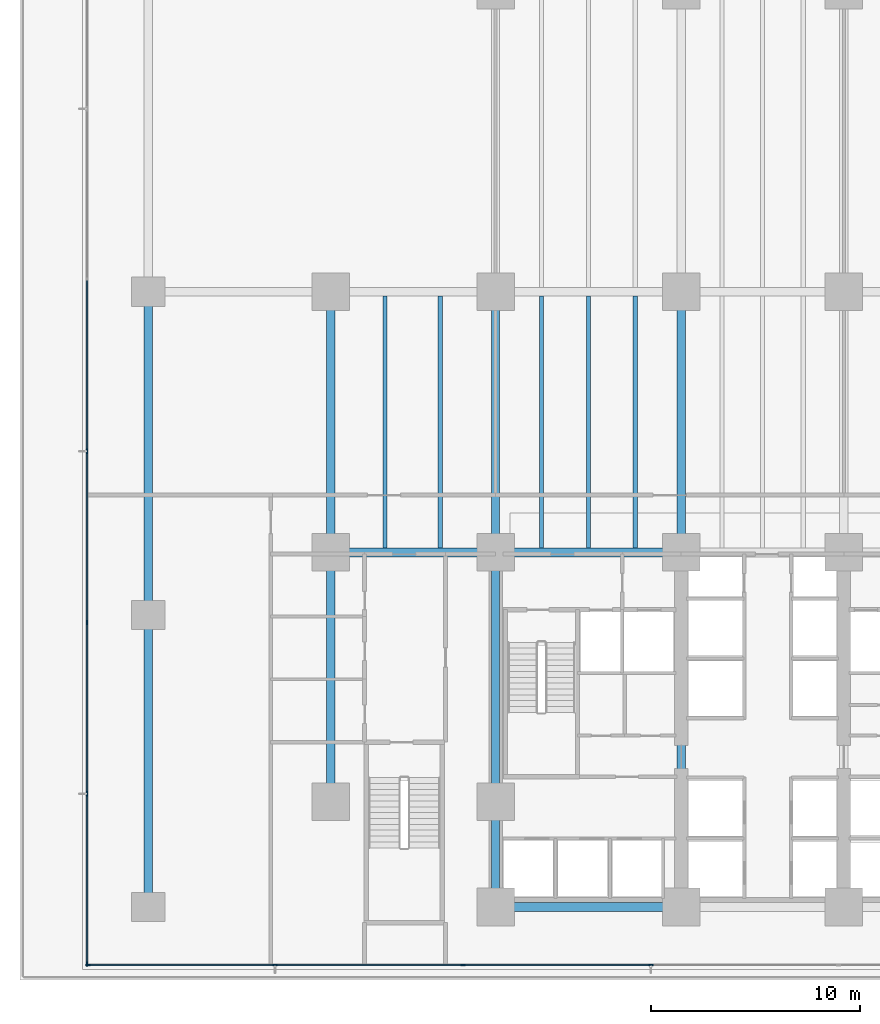
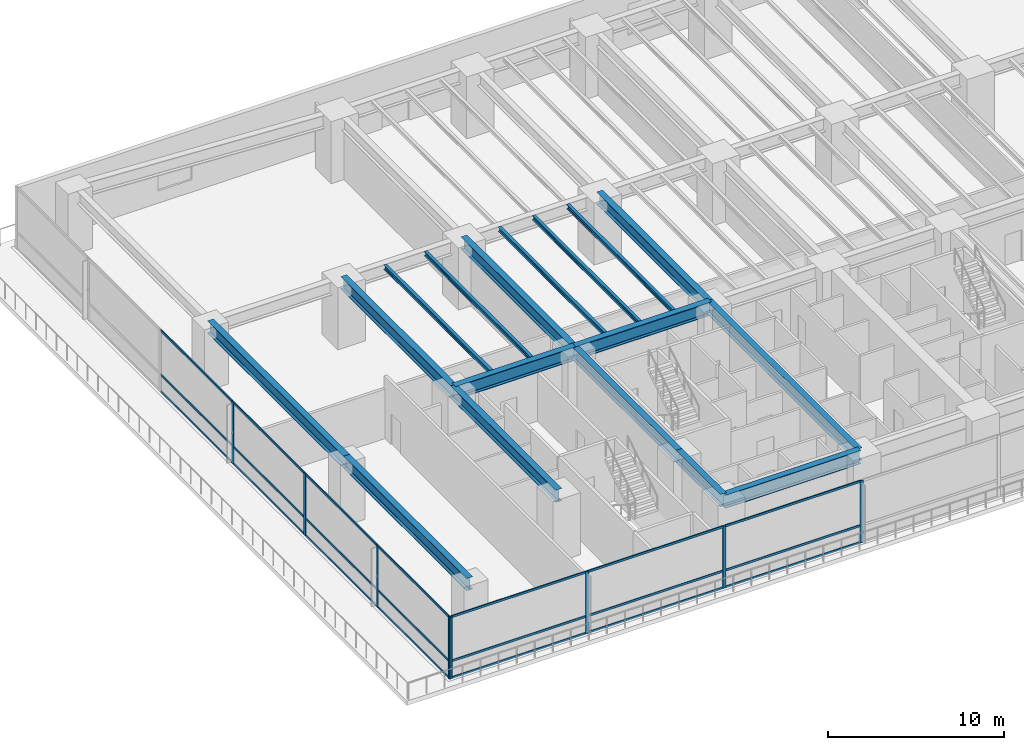
# One storey, part 2 of 28: 29 members, 17 beams, 2 elements without a shape of their own.
"""IFC4 building model written with IfcOpenShell, lengths in metres."""

from ifc_helpers import new_model, si_unit, direction, frame, origin, origin_2d, place, context, subcontext, project, spatial, rectangle, i_section, extrude, material, layer, layer_set, material_profile, profile_set, type_object, element, aggregate, save


model = new_model("IFC4")

# Units and contexts
model_context = context("Model", 3, precision=1e-05, world=origin(), true_north=direction((0.0, 1.0)))
body_context = subcontext(model_context, "Body", "Model", "MODEL_VIEW")
ifc_project = project(units=[si_unit("LENGTHUNIT", "METRE"), si_unit("AREAUNIT", "SQUARE_METRE"), si_unit("VOLUMEUNIT", "CUBIC_METRE"), si_unit("PLANEANGLEUNIT", "RADIAN"), si_unit("MASSUNIT", "GRAM", prefix="KILO")], contexts=[model_context])

# Site, building, storey
site_placement = place(None, origin())
site = spatial("IfcSite", under=ifc_project, at=site_placement, CompositionType="ELEMENT")
building_placement = place(site_placement, origin())
building = spatial("IfcBuilding", under=site, at=building_placement, Name="Qalmaran Belvedere Hotel", CompositionType="ELEMENT")
storey_placement = place(building_placement, frame((0.0, 0.0, 10.0)))
storey = spatial("IfcBuildingStorey", under=building, at=storey_placement, Name="L02", CompositionType="ELEMENT", Elevation=10.0)

# Beams
ifc_material_1 = material(Name="Steel S355JR", Category="steel")
ifc_material_profile_1 = material_profile(ifc_material_1, i_section(OverallWidth=0.202880859375, OverallDepth=0.302978515625, WebThickness=0.007568359375, FlangeThickness=0.01318359375, FilletRadius=0.012939453125, at=origin_2d()), Name="W310X60")
ifc_profile_set_1 = profile_set([ifc_material_profile_1], Name="Steel S355JR")
beam_type_1 = type_object("IfcBeamType", Name="BM-JST-W310X60", PredefinedType="JOIST", material=ifc_profile_set_1)
for number, where, z_axis, x_axis, name in (
    (1, (15.0, 20.7080078125, 4.1484375), (0.0, 1.0, 0.0), (-1.0, 0.0, 0.0), "L02 Podium South-Ballroom Joist 053"),
    (2, (17.64990234375, 20.7080078125, 4.1484375), (0.0, 1.0, 0.0), (-1.0, 0.0, 0.0), "L02 Podium South-Ballroom Joist 054"),
    (3, (22.5, 20.7080078125, 4.1484375), (0.0, 1.0, 0.0), (-1.0, 0.0, 0.0), "L02 Podium South-Ballroom Joist 055"),
    (4, (24.75, 20.7080078125, 4.1484375), (0.0, 1.0, 0.0), (-1.0, 0.0, 0.0), "L02 Podium South-Ballroom Joist 057"),
    (5, (27.0, 20.7080078125, 4.1484375), (0.0, 1.0, 0.0), (-1.0, 0.0, 0.0), "L02 Podium South-Ballroom Joist 059"),
):
    element("IfcBeam", number, at=place(storey_placement, frame(where, z_axis=z_axis, x_axis=x_axis)), inside=storey, type_object=beam_type_1, Name=name, PredefinedType="JOIST", context=body_context, shape_type="SweptSolid", body=[
        extrude(i_section(OverallWidth=0.202880859375, OverallDepth=0.302978515625, WebThickness=0.007568359375, FlangeThickness=0.01318359375, FilletRadius=0.012939453125, at=origin_2d()), origin(), (0.0, 0.0, 1.0), 12.083984375),
    ])
ifc_material_profile_2 = material_profile(ifc_material_1, i_section(OverallWidth=0.419921875, OverallDepth=0.9208984375, WebThickness=0.021240234375, FlangeThickness=0.03662109375, FilletRadius=0.02392578125, at=origin_2d()), Name="W920X387")
ifc_profile_set_2 = profile_set([ifc_material_profile_2], Name="Steel S355JR")
beam_type_2 = type_object("IfcBeamType", Name="BM-PG1-W920X387", PredefinedType="USERDEFINED", material=ifc_profile_set_2)
beam_1_placement = place(storey_placement, frame((20.300048828125, 3.5, 3.839599609375), z_axis=(1.0, 0.0, 0.0), x_axis=(0.0, 1.0, 0.0)))
element("IfcBeam", 6, at=beam_1_placement, inside=storey, type_object=beam_type_2, Name="L02 Podium Primary Girder GX02", ObjectType="GIRDER", PredefinedType="USERDEFINED", context=body_context, shape_type="SweptSolid", body=[
    extrude(i_section(OverallWidth=0.419921875, OverallDepth=0.9208984375, WebThickness=0.021240234375, FlangeThickness=0.03662109375, FilletRadius=0.02392578125, at=origin_2d()), origin(), (0.0, 0.0, 1.0), 8.89990234375),
])
beam_2_placement = place(storey_placement, frame((12.39990234375, 20.5, 3.839599609375), z_axis=(1.0, 0.0, 0.0), x_axis=(0.0, 1.0, 0.0)))
element("IfcBeam", 7, at=beam_2_placement, inside=storey, type_object=beam_type_2, Name="L02 Podium Primary Girder GX09", ObjectType="GIRDER", PredefinedType="USERDEFINED", context=body_context, shape_type="SweptSolid", body=[
    extrude(i_section(OverallWidth=0.419921875, OverallDepth=0.9208984375, WebThickness=0.021240234375, FlangeThickness=0.03662109375, FilletRadius=0.02392578125, at=origin_2d()), origin(), (0.0, 0.0, 1.0), 7.900146484375),
])
beam_3_placement = place(storey_placement, frame((20.300048828125, 20.5, 3.839599609375), z_axis=(1.0, 0.0, 0.0), x_axis=(0.0, 1.0, 0.0)))
element("IfcBeam", 8, at=beam_3_placement, inside=storey, type_object=beam_type_2, Name="L02 Podium Primary Girder GX10", ObjectType="GIRDER", PredefinedType="USERDEFINED", context=body_context, shape_type="SweptSolid", body=[
    extrude(i_section(OverallWidth=0.419921875, OverallDepth=0.9208984375, WebThickness=0.021240234375, FlangeThickness=0.03662109375, FilletRadius=0.02392578125, at=origin_2d()), origin(), (0.0, 0.0, 1.0), 8.89990234375),
])
ifc_material_profile_3 = material_profile(ifc_material_1, i_section(OverallWidth=0.39990234375, OverallDepth=0.85498046875, WebThickness=0.018310546875, FlangeThickness=0.029296875, FilletRadius=0.02392578125, at=origin_2d()), Name="W840X299")
ifc_profile_set_3 = profile_set([ifc_material_profile_3], Name="Steel S355JR")
beam_type_3 = type_object("IfcBeamType", Name="BM-PG3-W840X299", PredefinedType="USERDEFINED", material=ifc_profile_set_3)
beam_4_placement = place(storey_placement, frame((3.64990234375, 3.5, 3.87255859375), z_axis=(0.0, 1.0, 0.0), x_axis=(-1.0, 0.0, 0.0)))
element("IfcBeam", 9, at=beam_4_placement, inside=storey, type_object=beam_type_3, Name="L02 Podium Transverse Girder GY28", ObjectType="GIRDER", PredefinedType="USERDEFINED", context=body_context, shape_type="SweptSolid", body=[
    extrude(i_section(OverallWidth=0.39990234375, OverallDepth=0.85498046875, WebThickness=0.018310546875, FlangeThickness=0.029296875, FilletRadius=0.02392578125, at=origin_2d()), origin(), (0.0, 0.0, 1.0), 14.0),
])
beam_5_placement = place(storey_placement, frame((3.64990234375, 17.5, 3.87255859375), z_axis=(0.0, 1.0, 0.0), x_axis=(-1.0, 0.0, 0.0)))
element("IfcBeam", 10, at=beam_5_placement, inside=storey, type_object=beam_type_3, Name="L02 Podium Transverse Girder GY29", ObjectType="GIRDER", PredefinedType="USERDEFINED", context=body_context, shape_type="SweptSolid", body=[
    extrude(i_section(OverallWidth=0.39990234375, OverallDepth=0.85498046875, WebThickness=0.018310546875, FlangeThickness=0.029296875, FilletRadius=0.02392578125, at=origin_2d()), origin(), (0.0, 0.0, 1.0), 15.5),
])
beam_6_placement = place(storey_placement, frame((12.39990234375, 8.550048828125, 3.87255859375), z_axis=(0.0, 1.0, 0.0), x_axis=(-1.0, 0.0, 0.0)))
element("IfcBeam", 11, at=beam_6_placement, inside=storey, type_object=beam_type_3, Name="L02 Podium Transverse Girder GY31", ObjectType="GIRDER", PredefinedType="USERDEFINED", context=body_context, shape_type="SweptSolid", body=[
    extrude(i_section(OverallWidth=0.39990234375, OverallDepth=0.85498046875, WebThickness=0.018310546875, FlangeThickness=0.029296875, FilletRadius=0.02392578125, at=origin_2d()), origin(), (0.0, 0.0, 1.0), 11.949951171875),
])
beam_7_placement = place(storey_placement, frame((12.39990234375, 20.5, 3.87255859375), z_axis=(0.0, 1.0, 0.0), x_axis=(-1.0, 0.0, 0.0)))
element("IfcBeam", 12, at=beam_7_placement, inside=storey, type_object=beam_type_3, Name="L02 Podium Transverse Girder GY32", ObjectType="GIRDER", PredefinedType="USERDEFINED", context=body_context, shape_type="SweptSolid", body=[
    extrude(i_section(OverallWidth=0.39990234375, OverallDepth=0.85498046875, WebThickness=0.018310546875, FlangeThickness=0.029296875, FilletRadius=0.02392578125, at=origin_2d()), origin(), (0.0, 0.0, 1.0), 12.5),
])
beam_8_placement = place(storey_placement, frame((20.300048828125, 3.5, 3.87255859375), z_axis=(0.0, 1.0, 0.0), x_axis=(-1.0, 0.0, 0.0)))
element("IfcBeam", 13, at=beam_8_placement, inside=storey, type_object=beam_type_3, Name="L02 Podium Transverse Girder GY33", ObjectType="GIRDER", PredefinedType="USERDEFINED", context=body_context, shape_type="SweptSolid", body=[
    extrude(i_section(OverallWidth=0.39990234375, OverallDepth=0.85498046875, WebThickness=0.018310546875, FlangeThickness=0.029296875, FilletRadius=0.02392578125, at=origin_2d()), origin(), (0.0, 0.0, 1.0), 5.050048828125),
])
beam_9_placement = place(storey_placement, frame((20.300048828125, 8.550048828125, 3.87255859375), z_axis=(0.0, 1.0, 0.0), x_axis=(-1.0, 0.0, 0.0)))
element("IfcBeam", 14, at=beam_9_placement, inside=storey, type_object=beam_type_3, Name="L02 Podium Transverse Girder GY34", ObjectType="GIRDER", PredefinedType="USERDEFINED", context=body_context, shape_type="SweptSolid", body=[
    extrude(i_section(OverallWidth=0.39990234375, OverallDepth=0.85498046875, WebThickness=0.018310546875, FlangeThickness=0.029296875, FilletRadius=0.02392578125, at=origin_2d()), origin(), (0.0, 0.0, 1.0), 11.949951171875),
])
beam_10_placement = place(storey_placement, frame((20.300048828125, 20.5, 3.87255859375), z_axis=(0.0, 1.0, 0.0), x_axis=(-1.0, 0.0, 0.0)))
element("IfcBeam", 15, at=beam_10_placement, inside=storey, type_object=beam_type_3, Name="L02 Podium Transverse Girder GY35", ObjectType="GIRDER", PredefinedType="USERDEFINED", context=body_context, shape_type="SweptSolid", body=[
    extrude(i_section(OverallWidth=0.39990234375, OverallDepth=0.85498046875, WebThickness=0.018310546875, FlangeThickness=0.029296875, FilletRadius=0.02392578125, at=origin_2d()), origin(), (0.0, 0.0, 1.0), 12.5),
])
beam_11_placement = place(storey_placement, frame((29.199951171875, 3.5, 3.87255859375), z_axis=(0.0, 1.0, 0.0), x_axis=(-1.0, 0.0, 0.0)))
element("IfcBeam", 16, at=beam_11_placement, inside=storey, type_object=beam_type_3, Name="L02 Podium Transverse Girder GY37", ObjectType="GIRDER", PredefinedType="USERDEFINED", context=body_context, shape_type="SweptSolid", body=[
    extrude(i_section(OverallWidth=0.39990234375, OverallDepth=0.85498046875, WebThickness=0.018310546875, FlangeThickness=0.029296875, FilletRadius=0.02392578125, at=origin_2d()), origin(), (0.0, 0.0, 1.0), 17.0),
])
beam_12_placement = place(storey_placement, frame((29.199951171875, 20.5, 3.87255859375), z_axis=(0.0, 1.0, 0.0), x_axis=(-1.0, 0.0, 0.0)))
element("IfcBeam", 17, at=beam_12_placement, inside=storey, type_object=beam_type_3, Name="L02 Podium Transverse Girder GY38", ObjectType="GIRDER", PredefinedType="USERDEFINED", context=body_context, shape_type="SweptSolid", body=[
    extrude(i_section(OverallWidth=0.39990234375, OverallDepth=0.85498046875, WebThickness=0.018310546875, FlangeThickness=0.029296875, FilletRadius=0.02392578125, at=origin_2d()), origin(), (0.0, 0.0, 1.0), 12.5),
])

# Curtain wall, members
ifc_material_2 = material(Name="Anodised Bronze Aluminium", Category="aluminium")
ifc_layer = layer(ifc_material_2, 0.219970703125, Name="Anodised Bronze Aluminium")
ifc_layer_set = layer_set([ifc_layer], Name="Anodised Bronze Aluminium")
curtain_wall_type = type_object("IfcCurtainWallType", Name="CW1-PODIUM-BRONZE", PredefinedType="NOTDEFINED", material=ifc_layer_set)
curtain_wall_1_placement = place(storey_placement, origin())
curtain_wall_1 = element("IfcCurtainWall", 18, at=curtain_wall_1_placement, inside=storey, type_object=curtain_wall_type, Name="L02 Curtain Wall CW1", PredefinedType="NOTDEFINED")
ifc_material_profile_4 = material_profile(ifc_material_2, rectangle(XDim=0.074951171875, YDim=0.219970703125, at=origin_2d()), Name="CWM75X220")
ifc_profile_set_4 = profile_set([ifc_material_profile_4], Name="Anodised Bronze Aluminium")
member_type_1 = type_object("IfcMemberType", Name="CWM-75X220", PredefinedType="MULLION", material=ifc_profile_set_4)
member_1_placement = place(storey_placement, frame((0.757568359375, 0.719970703125, 0.0), z_axis=(0.0, 0.0, 1.0), x_axis=(0.0, 1.0, 0.0)))
member_1 = element("IfcMember", 19, at=member_1_placement, type_object=member_type_1, Name="CW1 mullion 1", PredefinedType="MULLION", context=body_context, shape_type="SweptSolid", body=[
    extrude(rectangle(XDim=0.074951171875, YDim=0.219970703125, at=origin_2d()), origin(), (0.0, 0.0, 1.0), 4.300048828125),
])
member_2_placement = place(storey_placement, frame((9.7275390625, 0.719970703125, 0.0), z_axis=(0.0, 0.0, 1.0), x_axis=(0.0, 1.0, 0.0)))
member_2 = element("IfcMember", 20, at=member_2_placement, type_object=member_type_1, Name="CW1 mullion 2", PredefinedType="MULLION", context=body_context, shape_type="SweptSolid", body=[
    extrude(rectangle(XDim=0.074951171875, YDim=0.219970703125, at=origin_2d()), origin(), (0.0, 0.0, 1.0), 4.300048828125),
])
member_3_placement = place(storey_placement, frame((18.735107421875, 0.719970703125, 0.0), z_axis=(0.0, 0.0, 1.0), x_axis=(0.0, 1.0, 0.0)))
member_3 = element("IfcMember", 21, at=member_3_placement, type_object=member_type_1, Name="CW1 mullion 3", PredefinedType="MULLION", context=body_context, shape_type="SweptSolid", body=[
    extrude(rectangle(XDim=0.074951171875, YDim=0.219970703125, at=origin_2d()), origin(), (0.0, 0.0, 1.0), 4.300048828125),
])
member_4_placement = place(storey_placement, frame((27.742431640625, 0.719970703125, 0.0), z_axis=(0.0, 0.0, 1.0), x_axis=(0.0, 1.0, 0.0)))
member_4 = element("IfcMember", 22, at=member_4_placement, type_object=member_type_1, Name="CW1 mullion 4", PredefinedType="MULLION", context=body_context, shape_type="SweptSolid", body=[
    extrude(rectangle(XDim=0.074951171875, YDim=0.219970703125, at=origin_2d()), origin(), (0.0, 0.0, 1.0), 4.300048828125),
])

curtain_wall_2_placement = place(storey_placement, origin())
curtain_wall_2 = element("IfcCurtainWall", 23, at=curtain_wall_2_placement, inside=storey, type_object=curtain_wall_type, Name="L02 Curtain Wall CW1", PredefinedType="NOTDEFINED")
member_5_placement = place(storey_placement, frame((0.719970703125, 25.35009765625, 0.0), z_axis=(0.0, 0.0, 1.0), x_axis=(1.0, 0.0, 0.0)))
member_5 = element("IfcMember", 24, at=member_5_placement, type_object=member_type_1, Name="CW1 mullion 4", PredefinedType="MULLION", context=body_context, shape_type="SweptSolid", body=[
    extrude(rectangle(XDim=0.074951171875, YDim=0.219970703125, at=origin_2d()), origin(), (0.0, 0.0, 1.0), 4.300048828125),
])
member_6_placement = place(storey_placement, frame((0.719970703125, 17.139892578125, 0.0), z_axis=(0.0, 0.0, 1.0), x_axis=(1.0, 0.0, 0.0)))
member_6 = element("IfcMember", 25, at=member_6_placement, type_object=member_type_1, Name="CW1 mullion 5", PredefinedType="MULLION", context=body_context, shape_type="SweptSolid", body=[
    extrude(rectangle(XDim=0.074951171875, YDim=0.219970703125, at=origin_2d()), origin(), (0.0, 0.0, 1.0), 4.300048828125),
])
member_7_placement = place(storey_placement, frame((0.719970703125, 8.929931640625, 0.0), z_axis=(0.0, 0.0, 1.0), x_axis=(1.0, 0.0, 0.0)))
member_7 = element("IfcMember", 26, at=member_7_placement, type_object=member_type_1, Name="CW1 mullion 6", PredefinedType="MULLION", context=body_context, shape_type="SweptSolid", body=[
    extrude(rectangle(XDim=0.074951171875, YDim=0.219970703125, at=origin_2d()), origin(), (0.0, 0.0, 1.0), 4.300048828125),
])
member_8_placement = place(storey_placement, frame((0.719970703125, 0.757568359375, 0.0), z_axis=(0.0, 0.0, 1.0), x_axis=(1.0, 0.0, 0.0)))
member_8 = element("IfcMember", 27, at=member_8_placement, type_object=member_type_1, Name="CW1 mullion 7", PredefinedType="MULLION", context=body_context, shape_type="SweptSolid", body=[
    extrude(rectangle(XDim=0.074951171875, YDim=0.219970703125, at=origin_2d()), origin(), (0.0, 0.0, 1.0), 4.300048828125),
])

# Member
ifc_material_profile_5 = material_profile(ifc_material_2, rectangle(XDim=0.070068359375, YDim=0.14990234375, at=origin_2d()), Name="CWT70X150")
ifc_profile_set_5 = profile_set([ifc_material_profile_5], Name="Anodised Bronze Aluminium")
member_type_2 = type_object("IfcMemberType", Name="CWT-70X150", PredefinedType="USERDEFINED", material=ifc_profile_set_5)
member_9_placement = place(storey_placement, frame((0.794921875, 0.719970703125, 0.034912109375), z_axis=(1.0, 0.0, 0.0), x_axis=(0.0, 1.0, 0.0)))
member_9 = element("IfcMember", 28, at=member_9_placement, type_object=member_type_2, Name="CW1 transom 1.1", ObjectType="TRANSOM", PredefinedType="USERDEFINED", context=body_context, shape_type="SweptSolid", body=[
    extrude(rectangle(XDim=0.070068359375, YDim=0.14990234375, at=origin_2d()), origin(), (0.0, 0.0, 1.0), 8.89501953125),
])

member_10_placement = place(storey_placement, frame((0.794921875, 0.719970703125, 1.2041015625), z_axis=(1.0, 0.0, 0.0), x_axis=(0.0, 1.0, 0.0)))
member_10 = element("IfcMember", 29, at=member_10_placement, type_object=member_type_2, Name="CW1 transom 1.2", ObjectType="TRANSOM", PredefinedType="USERDEFINED", context=body_context, shape_type="SweptSolid", body=[
    extrude(rectangle(XDim=0.070068359375, YDim=0.14990234375, at=origin_2d()), origin(), (0.0, 0.0, 1.0), 8.89501953125),
])

member_11_placement = place(storey_placement, frame((0.794921875, 0.719970703125, 4.264892578125), z_axis=(1.0, 0.0, 0.0), x_axis=(0.0, 1.0, 0.0)))
member_11 = element("IfcMember", 30, at=member_11_placement, type_object=member_type_2, Name="CW1 transom 1.3", ObjectType="TRANSOM", PredefinedType="USERDEFINED", context=body_context, shape_type="SweptSolid", body=[
    extrude(rectangle(XDim=0.070068359375, YDim=0.14990234375, at=origin_2d()), origin(), (0.0, 0.0, 1.0), 8.89501953125),
])

member_12_placement = place(storey_placement, frame((9.764892578125, 0.719970703125, 0.034912109375), z_axis=(1.0, 0.0, 0.0), x_axis=(0.0, 1.0, 0.0)))
member_12 = element("IfcMember", 31, at=member_12_placement, type_object=member_type_2, Name="CW1 transom 2.1", ObjectType="TRANSOM", PredefinedType="USERDEFINED", context=body_context, shape_type="SweptSolid", body=[
    extrude(rectangle(XDim=0.070068359375, YDim=0.14990234375, at=origin_2d()), origin(), (0.0, 0.0, 1.0), 8.9326171875),
])

member_13_placement = place(storey_placement, frame((9.764892578125, 0.719970703125, 1.2041015625), z_axis=(1.0, 0.0, 0.0), x_axis=(0.0, 1.0, 0.0)))
member_13 = element("IfcMember", 32, at=member_13_placement, type_object=member_type_2, Name="CW1 transom 2.2", ObjectType="TRANSOM", PredefinedType="USERDEFINED", context=body_context, shape_type="SweptSolid", body=[
    extrude(rectangle(XDim=0.070068359375, YDim=0.14990234375, at=origin_2d()), origin(), (0.0, 0.0, 1.0), 8.9326171875),
])

member_14_placement = place(storey_placement, frame((9.764892578125, 0.719970703125, 4.264892578125), z_axis=(1.0, 0.0, 0.0), x_axis=(0.0, 1.0, 0.0)))
member_14 = element("IfcMember", 33, at=member_14_placement, type_object=member_type_2, Name="CW1 transom 2.3", ObjectType="TRANSOM", PredefinedType="USERDEFINED", context=body_context, shape_type="SweptSolid", body=[
    extrude(rectangle(XDim=0.070068359375, YDim=0.14990234375, at=origin_2d()), origin(), (0.0, 0.0, 1.0), 8.9326171875),
])

member_15_placement = place(storey_placement, frame((18.7724609375, 0.719970703125, 0.034912109375), z_axis=(1.0, 0.0, 0.0), x_axis=(0.0, 1.0, 0.0)))
member_15 = element("IfcMember", 34, at=member_15_placement, type_object=member_type_2, Name="CW1 transom 3.1", ObjectType="TRANSOM", PredefinedType="USERDEFINED", context=body_context, shape_type="SweptSolid", body=[
    extrude(rectangle(XDim=0.070068359375, YDim=0.14990234375, at=origin_2d()), origin(), (0.0, 0.0, 1.0), 8.9326171875),
])

member_16_placement = place(storey_placement, frame((18.7724609375, 0.719970703125, 1.2041015625), z_axis=(1.0, 0.0, 0.0), x_axis=(0.0, 1.0, 0.0)))
member_16 = element("IfcMember", 35, at=member_16_placement, type_object=member_type_2, Name="CW1 transom 3.2", ObjectType="TRANSOM", PredefinedType="USERDEFINED", context=body_context, shape_type="SweptSolid", body=[
    extrude(rectangle(XDim=0.070068359375, YDim=0.14990234375, at=origin_2d()), origin(), (0.0, 0.0, 1.0), 8.9326171875),
])

member_17_placement = place(storey_placement, frame((18.7724609375, 0.719970703125, 4.264892578125), z_axis=(1.0, 0.0, 0.0), x_axis=(0.0, 1.0, 0.0)))
member_17 = element("IfcMember", 36, at=member_17_placement, type_object=member_type_2, Name="CW1 transom 3.3", ObjectType="TRANSOM", PredefinedType="USERDEFINED", context=body_context, shape_type="SweptSolid", body=[
    extrude(rectangle(XDim=0.070068359375, YDim=0.14990234375, at=origin_2d()), origin(), (0.0, 0.0, 1.0), 8.9326171875),
])

aggregate(curtain_wall_1, [member_1, member_2, member_3, member_4, member_9, member_10, member_11, member_12, member_13, member_14, member_15, member_16, member_17])

member_18_placement = place(storey_placement, frame((0.719970703125, 33.5224609375, 0.034912109375), z_axis=(0.0, -1.0, 0.0), x_axis=(1.0, 0.0, 0.0)))
member_18 = element("IfcMember", 37, at=member_18_placement, type_object=member_type_2, Name="CW1 transom 3.1", ObjectType="TRANSOM", PredefinedType="USERDEFINED", context=body_context, shape_type="SweptSolid", body=[
    extrude(rectangle(XDim=0.070068359375, YDim=0.14990234375, at=origin_2d()), origin(), (0.0, 0.0, 1.0), 8.135009765625),
])

member_19_placement = place(storey_placement, frame((0.719970703125, 33.5224609375, 1.2041015625), z_axis=(0.0, -1.0, 0.0), x_axis=(1.0, 0.0, 0.0)))
member_19 = element("IfcMember", 38, at=member_19_placement, type_object=member_type_2, Name="CW1 transom 3.2", ObjectType="TRANSOM", PredefinedType="USERDEFINED", context=body_context, shape_type="SweptSolid", body=[
    extrude(rectangle(XDim=0.070068359375, YDim=0.14990234375, at=origin_2d()), origin(), (0.0, 0.0, 1.0), 8.135009765625),
])

member_20_placement = place(storey_placement, frame((0.719970703125, 33.5224609375, 4.264892578125), z_axis=(0.0, -1.0, 0.0), x_axis=(1.0, 0.0, 0.0)))
member_20 = element("IfcMember", 39, at=member_20_placement, type_object=member_type_2, Name="CW1 transom 3.3", ObjectType="TRANSOM", PredefinedType="USERDEFINED", context=body_context, shape_type="SweptSolid", body=[
    extrude(rectangle(XDim=0.070068359375, YDim=0.14990234375, at=origin_2d()), origin(), (0.0, 0.0, 1.0), 8.135009765625),
])

member_21_placement = place(storey_placement, frame((0.719970703125, 25.3125, 0.034912109375), z_axis=(0.0, -1.0, 0.0), x_axis=(1.0, 0.0, 0.0)))
member_21 = element("IfcMember", 40, at=member_21_placement, type_object=member_type_2, Name="CW1 transom 4.1", ObjectType="TRANSOM", PredefinedType="USERDEFINED", context=body_context, shape_type="SweptSolid", body=[
    extrude(rectangle(XDim=0.070068359375, YDim=0.14990234375, at=origin_2d()), origin(), (0.0, 0.0, 1.0), 8.135009765625),
])

member_22_placement = place(storey_placement, frame((0.719970703125, 25.3125, 1.2041015625), z_axis=(0.0, -1.0, 0.0), x_axis=(1.0, 0.0, 0.0)))
member_22 = element("IfcMember", 41, at=member_22_placement, type_object=member_type_2, Name="CW1 transom 4.2", ObjectType="TRANSOM", PredefinedType="USERDEFINED", context=body_context, shape_type="SweptSolid", body=[
    extrude(rectangle(XDim=0.070068359375, YDim=0.14990234375, at=origin_2d()), origin(), (0.0, 0.0, 1.0), 8.135009765625),
])

member_23_placement = place(storey_placement, frame((0.719970703125, 25.3125, 4.264892578125), z_axis=(0.0, -1.0, 0.0), x_axis=(1.0, 0.0, 0.0)))
member_23 = element("IfcMember", 42, at=member_23_placement, type_object=member_type_2, Name="CW1 transom 4.3", ObjectType="TRANSOM", PredefinedType="USERDEFINED", context=body_context, shape_type="SweptSolid", body=[
    extrude(rectangle(XDim=0.070068359375, YDim=0.14990234375, at=origin_2d()), origin(), (0.0, 0.0, 1.0), 8.135009765625),
])

member_24_placement = place(storey_placement, frame((0.719970703125, 17.1025390625, 0.034912109375), z_axis=(0.0, -1.0, 0.0), x_axis=(1.0, 0.0, 0.0)))
member_24 = element("IfcMember", 43, at=member_24_placement, type_object=member_type_2, Name="CW1 transom 5.1", ObjectType="TRANSOM", PredefinedType="USERDEFINED", context=body_context, shape_type="SweptSolid", body=[
    extrude(rectangle(XDim=0.070068359375, YDim=0.14990234375, at=origin_2d()), origin(), (0.0, 0.0, 1.0), 8.135009765625),
])

member_25_placement = place(storey_placement, frame((0.719970703125, 17.1025390625, 1.2041015625), z_axis=(0.0, -1.0, 0.0), x_axis=(1.0, 0.0, 0.0)))
member_25 = element("IfcMember", 44, at=member_25_placement, type_object=member_type_2, Name="CW1 transom 5.2", ObjectType="TRANSOM", PredefinedType="USERDEFINED", context=body_context, shape_type="SweptSolid", body=[
    extrude(rectangle(XDim=0.070068359375, YDim=0.14990234375, at=origin_2d()), origin(), (0.0, 0.0, 1.0), 8.135009765625),
])

member_26_placement = place(storey_placement, frame((0.719970703125, 17.1025390625, 4.264892578125), z_axis=(0.0, -1.0, 0.0), x_axis=(1.0, 0.0, 0.0)))
member_26 = element("IfcMember", 45, at=member_26_placement, type_object=member_type_2, Name="CW1 transom 5.3", ObjectType="TRANSOM", PredefinedType="USERDEFINED", context=body_context, shape_type="SweptSolid", body=[
    extrude(rectangle(XDim=0.070068359375, YDim=0.14990234375, at=origin_2d()), origin(), (0.0, 0.0, 1.0), 8.135009765625),
])

member_27_placement = place(storey_placement, frame((0.719970703125, 8.892578125, 0.034912109375), z_axis=(0.0, -1.0, 0.0), x_axis=(1.0, 0.0, 0.0)))
member_27 = element("IfcMember", 46, at=member_27_placement, type_object=member_type_2, Name="CW1 transom 6.1", ObjectType="TRANSOM", PredefinedType="USERDEFINED", context=body_context, shape_type="SweptSolid", body=[
    extrude(rectangle(XDim=0.070068359375, YDim=0.14990234375, at=origin_2d()), origin(), (0.0, 0.0, 1.0), 8.09765625),
])

member_28_placement = place(storey_placement, frame((0.719970703125, 8.892578125, 1.2041015625), z_axis=(0.0, -1.0, 0.0), x_axis=(1.0, 0.0, 0.0)))
member_28 = element("IfcMember", 47, at=member_28_placement, type_object=member_type_2, Name="CW1 transom 6.2", ObjectType="TRANSOM", PredefinedType="USERDEFINED", context=body_context, shape_type="SweptSolid", body=[
    extrude(rectangle(XDim=0.070068359375, YDim=0.14990234375, at=origin_2d()), origin(), (0.0, 0.0, 1.0), 8.09765625),
])

member_29_placement = place(storey_placement, frame((0.719970703125, 8.892578125, 4.264892578125), z_axis=(0.0, -1.0, 0.0), x_axis=(1.0, 0.0, 0.0)))
member_29 = element("IfcMember", 48, at=member_29_placement, type_object=member_type_2, Name="CW1 transom 6.3", ObjectType="TRANSOM", PredefinedType="USERDEFINED", context=body_context, shape_type="SweptSolid", body=[
    extrude(rectangle(XDim=0.070068359375, YDim=0.14990234375, at=origin_2d()), origin(), (0.0, 0.0, 1.0), 8.09765625),
])

aggregate(curtain_wall_2, [member_5, member_6, member_7, member_8, member_18, member_19, member_20, member_21, member_22, member_23, member_24, member_25, member_26, member_27, member_28, member_29])

save(model, "model.ifc")
